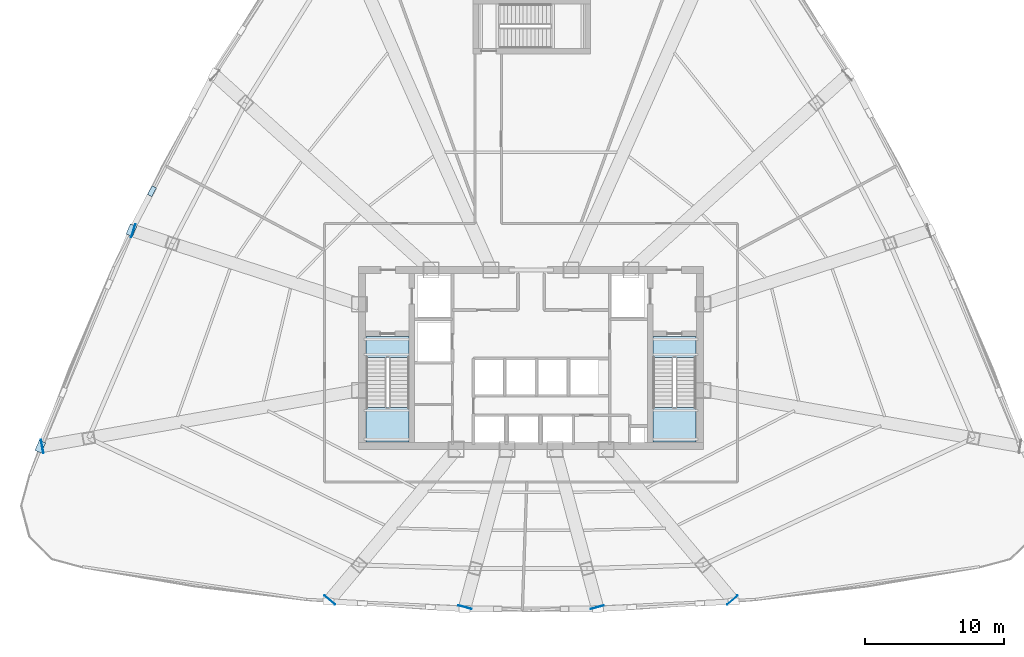
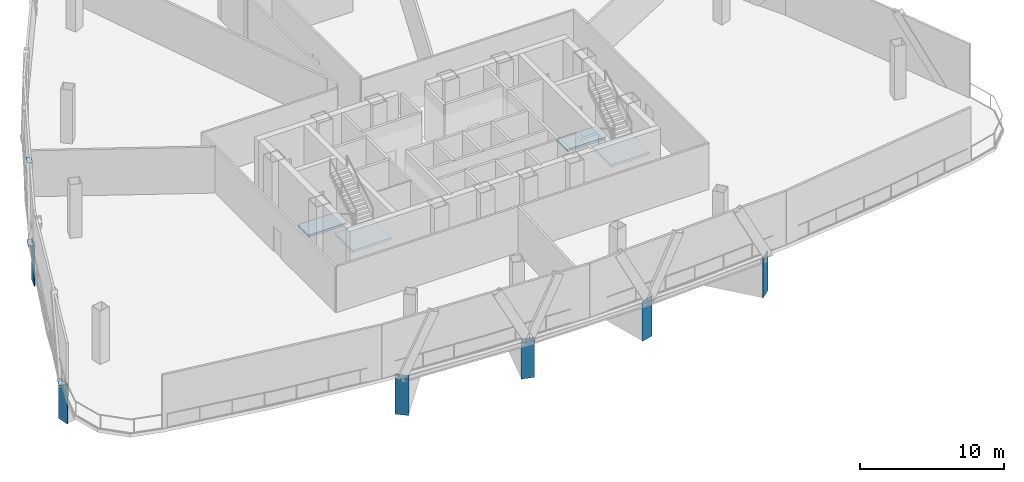
# One storey, part 3 of 14: 9 plates, 4 slabs, 2 elements without a shape of their own.
"""IFC4 building model written with IfcOpenShell, lengths in metres."""

from ifc_helpers import new_model, si_unit, direction, frame, origin, origin_2d, place, context, subcontext, project, spatial, polyline, rectangle, outline, extrude, source, transform, mapped, material, layer, layer_set, type_object, element, aggregate, save


model = new_model("IFC4")

# Units and contexts
model_context = context("Model", 3, precision=1e-05, world=origin(), true_north=direction((0.0, 1.0)))
body_context = subcontext(model_context, "Body", "Model", "MODEL_VIEW")
ifc_project = project(units=[si_unit("LENGTHUNIT", "METRE"), si_unit("AREAUNIT", "SQUARE_METRE"), si_unit("VOLUMEUNIT", "CUBIC_METRE"), si_unit("PLANEANGLEUNIT", "RADIAN"), si_unit("MASSUNIT", "GRAM", prefix="KILO"), si_unit("THERMODYNAMICTEMPERATUREUNIT", "KELVIN"), si_unit("POWERUNIT", "WATT")], contexts=[model_context])

# Site, building, storey
site_placement = place(None, origin())
site = spatial("IfcSite", under=ifc_project, at=site_placement, CompositionType="ELEMENT")
building_placement = place(site_placement, origin())
building = spatial("IfcBuilding", under=site, at=building_placement, Name="Yunzhuo Pagoda Commons", CompositionType="ELEMENT")
storey_placement = place(building_placement, frame((0.0, 0.0, 224.81005859375)))
storey = spatial("IfcBuildingStorey", under=building, at=storey_placement, Name="L56", CompositionType="ELEMENT", Elevation=224.81005859375)

# Stair, slabs
ifc_material_1 = material(Name="Concrete C40", Category="concrete")
stair_type_1 = type_object("IfcStairType", Name="ST-C1 Core Smokeproof Stair ST1", PredefinedType="HALF_TURN_STAIR", material=ifc_material_1)
stair_1_placement = place(storey_placement, origin())
stair_1 = element("IfcStair", 1, at=stair_1_placement, inside=storey, type_object=stair_type_1, Name="L56 Core smokeproof stair ST1", PredefinedType="HALF_TURN_STAIR")
ifc_layer_1 = layer(ifc_material_1, 0.199951171875)
ifc_layer_set_1 = layer_set([ifc_layer_1], Name="Concrete C40")
slab_type_1 = type_object("IfcSlabType", Name="SL-LND1 Stair Landing Slab 200", PredefinedType="LANDING", material=ifc_layer_set_1)
slab_1_placement = place(storey_placement, frame((0.0, 0.0, 2.199951171875)))
slab_1 = element("IfcSlab", 2, at=slab_1_placement, type_object=slab_type_1, Name="ST1 landing 1", PredefinedType="LANDING", context=body_context, shape_type="SweptSolid", body=[
    extrude(outline(polyline([(36.10009765625, 30.260009765625), (36.10009765625, 27.800048828125), (39.199951171875, 27.800048828125), (39.199951171875, 30.260009765625), (36.10009765625, 30.260009765625)])), origin(), (0.0, 0.0, 1.0), 0.199951171875),
])
slab_2_placement = place(storey_placement, frame((0.0, 0.0, -0.199951171875)))
slab_2 = element("IfcSlab", 3, at=slab_2_placement, type_object=slab_type_1, Name="ST1 floor landing L56", PredefinedType="LANDING", context=body_context, shape_type="SweptSolid", body=[
    extrude(outline(polyline([(36.10009765625, 35.39990234375), (36.10009765625, 33.89990234375), (39.199951171875, 33.89990234375), (39.199951171875, 35.39990234375), (36.10009765625, 35.39990234375)])), origin(), (0.0, 0.0, 1.0), 0.199951171875),
])
aggregate(stair_1, [slab_1, slab_2])

stair_type_2 = type_object("IfcStairType", Name="ST-C2 Core Smokeproof Stair ST2", PredefinedType="HALF_TURN_STAIR", material=ifc_material_1)
stair_2_placement = place(storey_placement, origin())
stair_2 = element("IfcStair", 4, at=stair_2_placement, inside=storey, type_object=stair_type_2, Name="L56 Core smokeproof stair ST2", PredefinedType="HALF_TURN_STAIR")
ifc_layer_2 = layer(ifc_material_1, 0.201904296875)
ifc_layer_set_2 = layer_set([ifc_layer_2], Name="Concrete C40")
slab_type_2 = type_object("IfcSlabType", Name="SL-LND2 Stair Landing Slab 202", PredefinedType="LANDING", material=ifc_layer_set_2)
slab_3_placement = place(storey_placement, frame((0.0, 0.0, 2.199951171875)))
slab_3 = element("IfcSlab", 5, at=slab_3_placement, type_object=slab_type_2, Name="ST2 landing 1", PredefinedType="LANDING", context=body_context, shape_type="SweptSolid", body=[
    extrude(outline(polyline([(56.800048828125, 30.260009765625), (56.800048828125, 27.800048828125), (59.89990234375, 27.800048828125), (59.89990234375, 30.260009765625), (56.800048828125, 30.260009765625)])), origin(), (0.0, 0.0, 1.0), 0.199951171875),
])
slab_4_placement = place(storey_placement, frame((0.0, 0.0, -0.199951171875)))
slab_4 = element("IfcSlab", 6, at=slab_4_placement, type_object=slab_type_2, Name="ST2 floor landing L56", PredefinedType="LANDING", context=body_context, shape_type="SweptSolid", body=[
    extrude(outline(polyline([(56.800048828125, 35.39990234375), (56.800048828125, 33.89990234375), (59.89990234375, 33.89990234375), (59.89990234375, 35.39990234375), (56.800048828125, 35.39990234375)])), origin(), (0.0, 0.0, 1.0), 0.199951171875),
])
aggregate(stair_2, [slab_3, slab_4])

# Plates
ifc_material_2 = material(Name="Structural steel Q420B", Category="steel")
ifc_layer_3 = layer(ifc_material_2, 0.0400390625)
ifc_layer_set_3 = layer_set([ifc_layer_3], Name="Structural steel Q420B")
plate_type_1 = type_object("IfcPlateType", Name="EP-TR2 Transfer Girder End Cap Plate 980x3540x40", PredefinedType="USERDEFINED", material=ifc_layer_set_3)
shared_shape_1 = source(origin(), body_context, "Body", "SweptSolid", [
    extrude(rectangle(XDim=0.97998046875, YDim=0.0400390625, at=origin_2d()), origin(), (0.0, 0.0, 1.0), 3.389892578125),
])
for number, where, z_axis, x_axis, name in (
    (7, (33.46533203125, 16.37841796875, -3.64990234375), (0.0, 0.0, 1.0), (0.766044443119, -0.642787609687, 0.0), "L56 transfer girder end cap plate F1C1"),
    (8, (43.22119140625, 15.86572265625, -3.64990234375), (0.0, 0.0, 1.0), (0.965925826289, -0.258819045103, 0.0), "L56 transfer girder end cap plate F1C2"),
    (9, (52.77880859375, 15.86572265625, -3.64990234375), (0.0, 0.0, 1.0), (0.965925826289, 0.258819045103, 0.0), "L56 transfer girder end cap plate F1C3"),
    (10, (62.53466796875, 16.37841796875, -3.64990234375), (0.0, 0.0, 1.0), (0.766044443119, 0.642787609687, 0.0), "L56 transfer girder end cap plate F1C4"),
    (11, (19.285888671875, 43.02978515625, -3.64990234375), (0.0, 0.0, 1.0), (-0.309016994375, -0.951056516295, 0.0), "L56 transfer girder end cap plate F3C3"),
    (12, (12.71240234375, 27.477783203125, -3.64990234375), (0.0, 0.0, 1.0), (0.173648177667, -0.984807753012, 0.0), "L56 transfer girder end cap plate F3C4"),
):
    element("IfcPlate", number, at=place(storey_placement, frame(where, z_axis=z_axis, x_axis=x_axis)), inside=storey, type_object=plate_type_1, Name=name, ObjectType="END_PLATE", PredefinedType="USERDEFINED", context=body_context, shape_type="MappedRepresentation", body=[
        mapped(shared_shape_1, transform((0.0, 0.0, 0.0), scale=1.0)),
    ])
ifc_material_3 = material(Name="Structural steel Q355B", Category="steel")
ifc_layer_4 = layer(ifc_material_3, 0.028076171875)
ifc_layer_set_4 = layer_set([ifc_layer_4], Name="Structural steel Q355B")
plate_type_2 = type_object("IfcPlateType", Name="SP-ND1 Lattice Node Cap Plate 800x500x28", PredefinedType="USERDEFINED", material=ifc_layer_set_4)
shared_shape_2 = source(origin(), body_context, "Body", "SweptSolid", [
    extrude(rectangle(XDim=0.800048828125, YDim=0.5, at=origin_2d()), origin(), (0.0, 0.0, 1.0), 0.028076171875),
])
for number, where, z_axis, x_axis, name in (
    (13, (19.15576171875, 43.072021484375, -0.2939453125), (0.0, 0.0, 1.0), (-0.388175158617, -0.921585615248, 0.0), "L56 diamond node plate F3.3A"),
    (14, (12.577392578125, 27.4541015625, -0.2939453125), (0.0, 0.0, 1.0), (-0.388175158617, -0.921585615248, 0.0), "L56 diamond node plate F3.3B"),
):
    element("IfcPlate", number, at=place(storey_placement, frame(where, z_axis=z_axis, x_axis=x_axis)), inside=storey, type_object=plate_type_2, Name=name, ObjectType="STIFFENER_PLATE", PredefinedType="USERDEFINED", context=body_context, shape_type="MappedRepresentation", body=[
        mapped(shared_shape_2, transform((0.0, 0.0, 0.0), scale=1.0)),
    ])
shared_shape_3 = source(origin(), body_context, "Body", "SweptSolid", [
    extrude(rectangle(XDim=0.699951171875, YDim=0.35009765625, at=origin_2d()), origin(), (0.0, 0.0, 1.0), 0.035888671875),
])
plate_placement = place(storey_placement, frame((20.636474609375, 45.888671875, 4.501953125), z_axis=(0.0, 0.0, 1.0), x_axis=(-0.465336470286, -0.885133870904, 0.0)))
element("IfcPlate", 15, at=plate_placement, inside=storey, type_object=plate_type_2, Name="L56 setback lattice tie plate F3.2R", ObjectType="STIFFENER_PLATE", PredefinedType="USERDEFINED", context=body_context, shape_type="MappedRepresentation", body=[
    mapped(shared_shape_3, transform((0.0, 0.0, 0.0), scale=1.0)),
])

save(model, "model.ifc")
